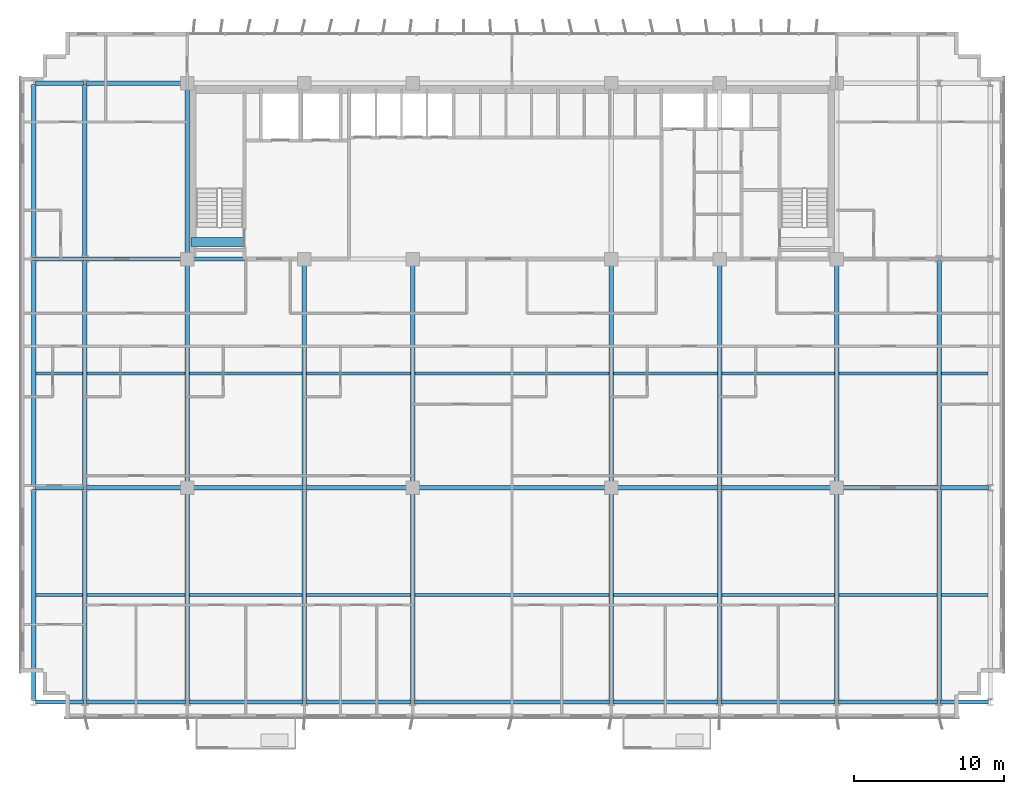
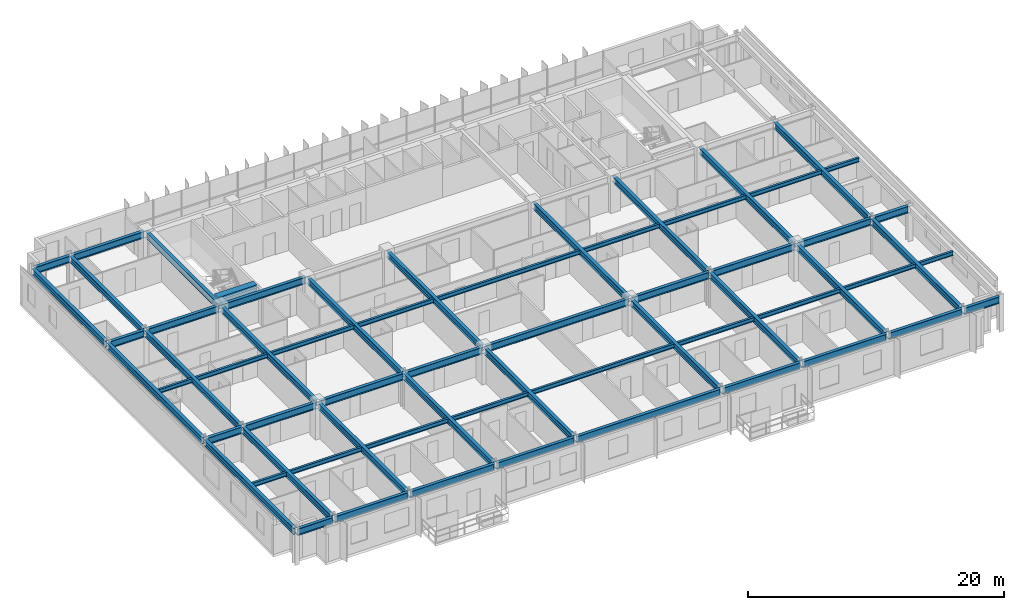
# One storey, part 4 of 24: 63 beams.
"""IFC4 building model written with IfcOpenShell, lengths in metres."""

import ifcopenshell
import ifcopenshell.guid

model = None  # the IFC model being written
_history = None  # IfcOwnerHistory: only IFC2X3 demands one
_inside = {}  # id of a spatial element -> (the spatial element, [elements in it])
_under = {}  # id of a project, library or spatial element -> (it, [spatial elements below it])
_declared = {}  # id of a project -> (the project, [libraries it declares])
_typed = {}  # id of a type object -> (the type object, [elements of that type])
_made_of = {}  # id of a material, layer set ... -> (it, [elements and type objects made of it])


def new_model(schema):
    """Start an empty IFC model of exactly this schema.

    Asked for "IFC4X3", IfcOpenShell would pick the latest addendum, in which some entities
    have other attributes; the version numbers below select the first issue.
    IFC2X3 requires an IfcOwnerHistory on every rooted entity: one is made here for all.
    """
    global model, _history
    if schema == "IFC4X3":
        model = ifcopenshell.file(schema_version=(4, 3, 0, 0))
    else:
        model = ifcopenshell.file(schema=schema)
    _inside.clear()
    _under.clear()
    _declared.clear()
    _typed.clear()
    _made_of.clear()
    _history = None
    if model.schema == "IFC2X3":
        org = make("IfcOrganization", Name="unknown")
        user = make(
            "IfcPersonAndOrganization",
            ThePerson=make("IfcPerson", FamilyName="unknown"),
            TheOrganization=org,
        )
        app = make(
            "IfcApplication",
            ApplicationDeveloper=org,
            Version="unknown",
            ApplicationFullName="unknown",
            ApplicationIdentifier="unknown",
        )
        _history = make(
            "IfcOwnerHistory",
            OwningUser=user,
            OwningApplication=app,
            ChangeAction="ADDED",
            CreationDate=0,
        )
    return model


def make(cls, **values):
    """One entity of the class cls with the attributes given. An attribute that is None is left unset."""
    return model.create_entity(
        cls, **{name: value for name, value in values.items() if value is not None}
    )


def rooted(cls, **values):
    """An entity with a GlobalId (a new one), such as an element, a storey or a relation."""
    return make(cls, GlobalId=ifcopenshell.guid.new(), OwnerHistory=_history, **values)


def si_unit(unit_type, name, prefix=None):
    """IfcSIUnit, for example si_unit("LENGTHUNIT", "METRE", prefix="MILLI")."""
    return make("IfcSIUnit", UnitType=unit_type, Prefix=prefix, Name=name)


def assignment(units):
    """IfcUnitAssignment: the units of a project."""
    return None if units is None else make("IfcUnitAssignment", Units=units)


def point(xyz):
    """IfcCartesianPoint."""
    return None if xyz is None else make("IfcCartesianPoint", Coordinates=xyz)


def direction(xyz):
    """IfcDirection."""
    return None if xyz is None else make("IfcDirection", DirectionRatios=xyz)


def frame(location, z_axis=None, x_axis=None):
    """IfcAxis2Placement3D, a coordinate frame: its origin and axes. An axis left out is left unset."""
    return make(
        "IfcAxis2Placement3D",
        Location=point(location),
        Axis=direction(z_axis),
        RefDirection=direction(x_axis),
    )


def frame_2d(location, x_axis=None):
    """IfcAxis2Placement2D, a coordinate frame in the plane: its origin and x axis."""
    return make(
        "IfcAxis2Placement2D", Location=point(location), RefDirection=direction(x_axis)
    )


def origin():
    """The frame at (0, 0, 0) with its axes left unset."""
    return frame((0.0, 0.0, 0.0))


def origin_2d():
    """The frame at (0, 0) in the plane with its x axis left unset."""
    return frame_2d((0.0, 0.0))


def place(relative_to, where):
    """IfcLocalPlacement: puts the frame where relative to a parent placement (None: the world)."""
    return make(
        "IfcLocalPlacement", PlacementRelTo=relative_to, RelativePlacement=where
    )


def context(
    kind, dimensions, precision=None, world=None, true_north=None, identifier=None
):
    """IfcGeometricRepresentationContext, for example the 3D "Model" context."""
    return make(
        "IfcGeometricRepresentationContext",
        ContextIdentifier=identifier,
        ContextType=kind,
        CoordinateSpaceDimension=dimensions,
        Precision=precision,
        WorldCoordinateSystem=world,
        TrueNorth=true_north,
    )


def subcontext(parent, identifier, kind, view, scale=None):
    """IfcGeometricRepresentationSubContext, for example "Body" below "Model"."""
    return make(
        "IfcGeometricRepresentationSubContext",
        ContextIdentifier=identifier,
        ContextType=kind,
        ParentContext=parent,
        TargetScale=scale,
        TargetView=view,
    )


def project(units=None, contexts=None):
    """IfcProject with its units and contexts."""
    return rooted(
        "IfcProject",
        Name="project",
        RepresentationContexts=contexts,
        UnitsInContext=assignment(units),
    )


def spatial(cls, under=None, at=None, **own):
    """A site, building, storey or space (cls), placed at a placement, below another one or the project."""
    s = rooted(cls, ObjectPlacement=at, **own)
    if under is not None:
        _under.setdefault(under.id(), (under, []))[1].append(s)
    return s


def profile(cls, at=None, kind="AREA", **sizes):
    """A parametric profile (cls). Its sizes go by their IFC names, for example OverallWidth=200.0."""
    return make(cls, ProfileType=kind, Position=at, **sizes)


def rectangle(**sizes):
    """IfcRectangleProfileDef."""
    return profile("IfcRectangleProfileDef", **sizes)


def i_section(**sizes):
    """IfcIShapeProfileDef."""
    return profile("IfcIShapeProfileDef", **sizes)


def extrude(swept, where, along, depth):
    """IfcExtrudedAreaSolid: the profile swept, set in the frame where, extruded along a direction by depth."""
    return make(
        "IfcExtrudedAreaSolid",
        SweptArea=swept,
        Position=where,
        ExtrudedDirection=direction(along),
        Depth=depth,
    )


def shape(context_of_items, identifier, shape_type, items):
    """IfcShapeRepresentation: the items that make up one representation, for example the "Body"."""
    return make(
        "IfcShapeRepresentation",
        ContextOfItems=context_of_items,
        RepresentationIdentifier=identifier,
        RepresentationType=shape_type,
        Items=items,
    )


def source(mapping_origin, context_of_items, identifier, shape_type, items):
    """IfcRepresentationMap: a shape defined once, which mapped items show again and again."""
    return make(
        "IfcRepresentationMap",
        MappingOrigin=mapping_origin,
        MappedRepresentation=shape(context_of_items, identifier, shape_type, items),
    )


def transform(
    local_origin,
    x_axis=None,
    y_axis=None,
    z_axis=None,
    scale=None,
    scale2=None,
    scale3=None,
    uniform=True,
):
    """IfcCartesianTransformationOperator3D, or its non-uniform kind. x_axis, y_axis, z_axis: its Axis1, 2, 3."""
    if uniform:
        return make(
            "IfcCartesianTransformationOperator3D",
            Axis1=direction(x_axis),
            Axis2=direction(y_axis),
            LocalOrigin=point(local_origin),
            Scale=scale,
            Axis3=direction(z_axis),
        )
    return make(
        "IfcCartesianTransformationOperator3DnonUniform",
        Axis1=direction(x_axis),
        Axis2=direction(y_axis),
        LocalOrigin=point(local_origin),
        Scale=scale,
        Axis3=direction(z_axis),
        Scale2=scale2,
        Scale3=scale3,
    )


def mapped(mapping_source, mapping_target):
    """IfcMappedItem: shows the shape of a source again, moved by a transform."""
    return make(
        "IfcMappedItem", MappingSource=mapping_source, MappingTarget=mapping_target
    )


def material(Name=None, Category=None):
    """IfcMaterial."""
    return make("IfcMaterial", Name=Name, Category=Category)


def material_profile(
    of_material, cross_section, Name=None, Category=None, Priority=None
):
    """IfcMaterialProfile: a cross section and its material."""
    return make(
        "IfcMaterialProfile",
        Name=Name,
        Material=of_material,
        Profile=cross_section,
        Priority=Priority,
        Category=Category,
    )


def profile_set(profiles, Name=None, composite=None):
    """IfcMaterialProfileSet."""
    return make(
        "IfcMaterialProfileSet",
        Name=Name,
        MaterialProfiles=profiles,
        CompositeProfile=composite,
    )


def made_of(thing, what):
    """Note that an element or type object is made of a material, layer set ...; save() writes the relation."""
    if what is not None:
        _made_of.setdefault(what.id(), (what, []))[1].append(thing)
    return thing


def type_object(cls, material=None, **own):
    """A type object (cls), such as IfcWallType, which elements share."""
    return made_of(rooted(cls, **own), material)


def element(
    cls,
    number,
    at=None,
    inside=None,
    cuts=None,
    type_object=None,
    material=None,
    context=None,
    identifier="Body",
    shape_type=None,
    held_by="IfcProductDefinitionShape",
    body=None,
    shapes=None,
    **own,
):
    """One element of the class cls, such as IfcWall. Its Tag is "e" and its number.

    at: its placement. inside: the storey or other place that contains it. cuts: it is an
    opening in that element (IfcRelVoidsElement). A single representation is given by context,
    identifier, shape_type and body (its items); several are given by shapes. held_by: the class
    of the entity that holds the representations. save() writes the other relations.
    """
    e = rooted(cls, Tag="e%d" % number, ObjectPlacement=at, **own)
    if body is not None:
        shapes = [shape(context, identifier, shape_type, body)]
    if shapes is not None:
        e.Representation = make(held_by, Representations=shapes)
    if inside is not None:
        _inside.setdefault(inside.id(), (inside, []))[1].append(e)
    if cuts is not None:
        rooted(
            "IfcRelVoidsElement", RelatingBuildingElement=cuts, RelatedOpeningElement=e
        )
    if type_object is not None:
        _typed.setdefault(type_object.id(), (type_object, []))[1].append(e)
    return made_of(e, material)


def aggregate(whole, parts):
    """IfcRelAggregates: a whole, such as a stair, and the parts it consists of."""
    return rooted("IfcRelAggregates", RelatingObject=whole, RelatedObjects=parts)


def save(model, path):
    """Write the relations noted so far, then the file.

    IfcRelAggregates (storeys below a building ...), IfcRelContainedInSpatialStructure (elements
    in a storey), IfcRelDefinesByType, IfcRelAssociatesMaterial and IfcRelDeclares: one each for
    every whole, place, type object, material and project.
    """
    for whole, parts in _under.values():
        aggregate(whole, parts)
    for where, things in _inside.values():
        rooted(
            "IfcRelContainedInSpatialStructure",
            RelatedElements=things,
            RelatingStructure=where,
        )
    for kind, things in _typed.values():
        rooted("IfcRelDefinesByType", RelatedObjects=things, RelatingType=kind)
    for what, things in _made_of.values():
        rooted("IfcRelAssociatesMaterial", RelatedObjects=things, RelatingMaterial=what)
    for by, libraries in _declared.values():
        rooted("IfcRelDeclares", RelatingContext=by, RelatedDefinitions=libraries)
    model.write(path)


model = new_model("IFC4")

# Units and contexts
model_context = context("Model", 3, precision=1e-05, world=origin(), true_north=direction((0.0, 1.0)))
body_context = subcontext(model_context, "Body", "Model", "MODEL_VIEW")
ifc_project = project(units=[si_unit("LENGTHUNIT", "METRE"), si_unit("AREAUNIT", "SQUARE_METRE"), si_unit("VOLUMEUNIT", "CUBIC_METRE"), si_unit("PLANEANGLEUNIT", "RADIAN"), si_unit("MASSUNIT", "GRAM", prefix="KILO")], contexts=[model_context])

# Site, building, storey
site_placement = place(None, origin())
site = spatial("IfcSite", under=ifc_project, at=site_placement, CompositionType="ELEMENT")
building_placement = place(site_placement, origin())
building = spatial("IfcBuilding", under=site, at=building_placement, Name="Trelvane Seafront Commons", CompositionType="ELEMENT")
storey_placement = place(building_placement, frame((0.0, 0.0, 30.699951171875)))
storey = spatial("IfcBuildingStorey", under=building, at=storey_placement, Name="L07", CompositionType="ELEMENT", Elevation=30.699951171875)

# Beams
ifc_material_1 = material(Name="Concrete C60/75", Category="concrete")
ifc_material_profile_1 = material_profile(ifc_material_1, rectangle(XDim=0.60009765625, YDim=0.89990234375, at=origin_2d()), Name="RC-600x900")
ifc_profile_set_1 = profile_set([ifc_material_profile_1], Name="Concrete C60/75")
beam_type_1 = type_object("IfcBeamType", Name="STR-LNT-RC600x900", PredefinedType="LINTEL", material=ifc_profile_set_1)
shared_shape_1 = source(origin(), body_context, "Body", "SweptSolid", [
    extrude(rectangle(XDim=0.60009765625, YDim=0.89990234375, at=origin_2d()), origin(), (0.0, 0.0, 1.0), 3.5498046875),
])
beam_1_placement = place(storey_placement, frame((15.85009765625, 34.550048828125, 2.89013671875), z_axis=(1.0, 0.0, 0.0), x_axis=(0.0, 1.0, 0.0)))
element("IfcBeam", 1, at=beam_1_placement, inside=storey, type_object=beam_type_1, Name="L07 Core Coupling Lintel Beam CB-85", PredefinedType="LINTEL", context=body_context, shape_type="MappedRepresentation", body=[
    mapped(shared_shape_1, transform((0.0, 0.0, 0.0), x_axis=(1.0, 0.0, 0.0), y_axis=(0.0, 1.0, 0.0), z_axis=(0.0, 0.0, 1.0), scale=1.0)),
])
ifc_material_2 = material(Name="Steel SM355 (S355)", Category="steel")
ifc_material_profile_2 = material_profile(ifc_material_2, i_section(OverallWidth=0.280029296875, OverallDepth=0.64990234375, WebThickness=0.012939453125, FlangeThickness=0.02197265625, at=origin_2d()), Name="H-650x280x13x22")
ifc_profile_set_2 = profile_set([ifc_material_profile_2], Name="Steel SM355 (S355)")
beam_type_2 = type_object("IfcBeamType", Name="STR-BM-H650", PredefinedType="BEAM", material=ifc_profile_set_2)
shared_shape_2 = source(origin(), body_context, "Body", "SweptSolid", [
    extrude(i_section(OverallWidth=0.280029296875, OverallDepth=0.64990234375, WebThickness=0.012939453125, FlangeThickness=0.02197265625, at=origin_2d()), origin(), (0.0, 0.0, 1.0), 3.190185546875),
])
for number, where, z_axis, x_axis, name in (
    (2, (5.5048828125, 3.949951171875, 3.01513671875), (1.0, 0.0, 0.0), (0.0, 1.0, 0.0), "L07 Primary Girder G-01"),
    (3, (5.5048828125, 18.199951171875, 3.01513671875), (1.0, 0.0, 0.0), (0.0, 1.0, 0.0), "L07 Primary Girder G-10"),
    (4, (5.5048828125, 33.39990234375, 3.01513671875), (1.0, 0.0, 0.0), (0.0, 1.0, 0.0), "L07 Primary Girder G-19"),
    (5, (5.5048828125, 45.10009765625, 3.01513671875), (1.0, 0.0, 0.0), (0.0, 1.0, 0.0), "L07 Primary Girder G-28"),
):
    element("IfcBeam", number, at=place(storey_placement, frame(where, z_axis=z_axis, x_axis=x_axis)), inside=storey, type_object=beam_type_2, Name=name, PredefinedType="BEAM", context=body_context, shape_type="MappedRepresentation", body=[
        mapped(shared_shape_2, transform((0.0, 0.0, 0.0), x_axis=(1.0, 0.0, 0.0), y_axis=(0.0, 1.0, 0.0), z_axis=(0.0, 0.0, 1.0), scale=1.0)),
    ])
shared_shape_3 = source(origin(), body_context, "Body", "SweptSolid", [
    extrude(i_section(OverallWidth=0.280029296875, OverallDepth=0.64990234375, WebThickness=0.012939453125, FlangeThickness=0.02197265625, at=origin_2d()), origin(), (0.0, 0.0, 1.0), 6.590087890625),
])
for number, where, z_axis, x_axis, name in (
    (6, (8.905029296875, 3.949951171875, 3.01513671875), (1.0, 0.0, 0.0), (0.0, 1.0, 0.0), "L07 Primary Girder G-02"),
    (7, (58.905029296875, 3.949951171875, 3.01513671875), (1.0, 0.0, 0.0), (0.0, 1.0, 0.0), "L07 Primary Girder G-08"),
):
    element("IfcBeam", number, at=place(storey_placement, frame(where, z_axis=z_axis, x_axis=x_axis)), inside=storey, type_object=beam_type_2, Name=name, PredefinedType="BEAM", context=body_context, shape_type="MappedRepresentation", body=[
        mapped(shared_shape_3, transform((0.0, 0.0, 0.0), x_axis=(1.0, 0.0, 0.0), y_axis=(0.0, 1.0, 0.0), z_axis=(0.0, 0.0, 1.0), scale=1.0)),
    ])
shared_shape_4 = source(origin(), body_context, "Body", "SweptSolid", [
    extrude(i_section(OverallWidth=0.280029296875, OverallDepth=0.64990234375, WebThickness=0.012939453125, FlangeThickness=0.02197265625, at=origin_2d()), origin(), (0.0, 0.0, 1.0), 7.58984375),
])
beam_2_placement = place(storey_placement, frame((15.705078125, 3.949951171875, 3.01513671875), z_axis=(1.0, 0.0, 0.0), x_axis=(0.0, 1.0, 0.0)))
element("IfcBeam", 8, at=beam_2_placement, inside=storey, type_object=beam_type_2, Name="L07 Primary Girder G-03", PredefinedType="BEAM", context=body_context, shape_type="MappedRepresentation", body=[
    mapped(shared_shape_4, transform((0.0, 0.0, 0.0), x_axis=(1.0, 0.0, 0.0), y_axis=(0.0, 1.0, 0.0), z_axis=(0.0, 0.0, 1.0), scale=1.0)),
])
shared_shape_5 = source(origin(), body_context, "Body", "SweptSolid", [
    extrude(i_section(OverallWidth=0.280029296875, OverallDepth=0.64990234375, WebThickness=0.012939453125, FlangeThickness=0.02197265625, at=origin_2d()), origin(), (0.0, 0.0, 1.0), 6.990234375),
])
beam_3_placement = place(storey_placement, frame((23.5048828125, 3.949951171875, 3.01513671875), z_axis=(1.0, 0.0, 0.0), x_axis=(0.0, 1.0, 0.0)))
element("IfcBeam", 9, at=beam_3_placement, inside=storey, type_object=beam_type_2, Name="L07 Primary Girder G-04", PredefinedType="BEAM", context=body_context, shape_type="MappedRepresentation", body=[
    mapped(shared_shape_5, transform((0.0, 0.0, 0.0), x_axis=(1.0, 0.0, 0.0), y_axis=(0.0, 1.0, 0.0), z_axis=(0.0, 0.0, 1.0), scale=1.0)),
])
shared_shape_6 = source(origin(), body_context, "Body", "SweptSolid", [
    extrude(i_section(OverallWidth=0.280029296875, OverallDepth=0.64990234375, WebThickness=0.012939453125, FlangeThickness=0.02197265625, at=origin_2d()), origin(), (0.0, 0.0, 1.0), 12.989990234375),
])
beam_4_placement = place(storey_placement, frame((30.705078125, 3.949951171875, 3.01513671875), z_axis=(1.0, 0.0, 0.0), x_axis=(0.0, 1.0, 0.0)))
element("IfcBeam", 10, at=beam_4_placement, inside=storey, type_object=beam_type_2, Name="L07 Primary Girder G-05", PredefinedType="BEAM", context=body_context, shape_type="MappedRepresentation", body=[
    mapped(shared_shape_6, transform((0.0, 0.0, 0.0), x_axis=(1.0, 0.0, 0.0), y_axis=(0.0, 1.0, 0.0), z_axis=(0.0, 0.0, 1.0), scale=1.0)),
])
shared_shape_7 = source(origin(), body_context, "Body", "SweptSolid", [
    extrude(i_section(OverallWidth=0.280029296875, OverallDepth=0.64990234375, WebThickness=0.012939453125, FlangeThickness=0.02197265625, at=origin_2d()), origin(), (0.0, 0.0, 1.0), 6.989990234375),
])
beam_5_placement = place(storey_placement, frame((43.905029296875, 3.949951171875, 3.01513671875), z_axis=(1.0, 0.0, 0.0), x_axis=(0.0, 1.0, 0.0)))
element("IfcBeam", 11, at=beam_5_placement, inside=storey, type_object=beam_type_2, Name="L07 Primary Girder G-06", PredefinedType="BEAM", context=body_context, shape_type="MappedRepresentation", body=[
    mapped(shared_shape_7, transform((0.0, 0.0, 0.0), x_axis=(1.0, 0.0, 0.0), y_axis=(0.0, 1.0, 0.0), z_axis=(0.0, 0.0, 1.0), scale=1.0)),
])
shared_shape_8 = source(origin(), body_context, "Body", "SweptSolid", [
    extrude(i_section(OverallWidth=0.280029296875, OverallDepth=0.64990234375, WebThickness=0.012939453125, FlangeThickness=0.02197265625, at=origin_2d()), origin(), (0.0, 0.0, 1.0), 7.590087890625),
])
beam_6_placement = place(storey_placement, frame((51.10498046875, 3.949951171875, 3.01513671875), z_axis=(1.0, 0.0, 0.0), x_axis=(0.0, 1.0, 0.0)))
element("IfcBeam", 12, at=beam_6_placement, inside=storey, type_object=beam_type_2, Name="L07 Primary Girder G-07", PredefinedType="BEAM", context=body_context, shape_type="MappedRepresentation", body=[
    mapped(shared_shape_8, transform((0.0, 0.0, 0.0), x_axis=(1.0, 0.0, 0.0), y_axis=(0.0, 1.0, 0.0), z_axis=(0.0, 0.0, 1.0), scale=1.0)),
])
shared_shape_9 = source(origin(), body_context, "Body", "SweptSolid", [
    extrude(i_section(OverallWidth=0.280029296875, OverallDepth=0.64990234375, WebThickness=0.012939453125, FlangeThickness=0.02197265625, at=origin_2d()), origin(), (0.0, 0.0, 1.0), 3.18994140625),
])
for number, where, z_axis, x_axis, name in (
    (13, (65.705078125, 3.949951171875, 3.01513671875), (1.0, 0.0, 0.0), (0.0, 1.0, 0.0), "L07 Primary Girder G-09"),
    (14, (65.705078125, 18.199951171875, 3.01513671875), (1.0, 0.0, 0.0), (0.0, 1.0, 0.0), "L07 Primary Girder G-18"),
):
    element("IfcBeam", number, at=place(storey_placement, frame(where, z_axis=z_axis, x_axis=x_axis)), inside=storey, type_object=beam_type_2, Name=name, PredefinedType="BEAM", context=body_context, shape_type="MappedRepresentation", body=[
        mapped(shared_shape_9, transform((0.0, 0.0, 0.0), x_axis=(1.0, 0.0, 0.0), y_axis=(0.0, 1.0, 0.0), z_axis=(0.0, 0.0, 1.0), scale=1.0)),
    ])
shared_shape_10 = source(origin(), body_context, "Body", "SweptSolid", [
    extrude(i_section(OverallWidth=0.280029296875, OverallDepth=0.64990234375, WebThickness=0.012939453125, FlangeThickness=0.02197265625, at=origin_2d()), origin(), (0.0, 0.0, 1.0), 6.544921875),
])
for number, where, z_axis, x_axis, name in (
    (15, (8.905029296875, 18.199951171875, 3.01513671875), (1.0, 0.0, 0.0), (0.0, 1.0, 0.0), "L07 Primary Girder G-11"),
    (16, (8.905029296875, 33.39990234375, 3.01513671875), (1.0, 0.0, 0.0), (0.0, 1.0, 0.0), "L07 Primary Girder G-20"),
    (17, (8.905029296875, 45.10009765625, 3.01513671875), (1.0, 0.0, 0.0), (0.0, 1.0, 0.0), "L07 Primary Girder G-29"),
):
    element("IfcBeam", number, at=place(storey_placement, frame(where, z_axis=z_axis, x_axis=x_axis)), inside=storey, type_object=beam_type_2, Name=name, PredefinedType="BEAM", context=body_context, shape_type="MappedRepresentation", body=[
        mapped(shared_shape_10, transform((0.0, 0.0, 0.0), x_axis=(1.0, 0.0, 0.0), y_axis=(0.0, 1.0, 0.0), z_axis=(0.0, 0.0, 1.0), scale=1.0)),
    ])
shared_shape_11 = source(origin(), body_context, "Body", "SweptSolid", [
    extrude(i_section(OverallWidth=0.280029296875, OverallDepth=0.64990234375, WebThickness=0.012939453125, FlangeThickness=0.02197265625, at=origin_2d()), origin(), (0.0, 0.0, 1.0), 7.544921875),
])
for number, where, z_axis, x_axis, name in (
    (18, (15.75, 18.199951171875, 3.01513671875), (1.0, 0.0, 0.0), (0.0, 1.0, 0.0), "L07 Primary Girder G-12"),
    (19, (51.10498046875, 18.199951171875, 3.01513671875), (1.0, 0.0, 0.0), (0.0, 1.0, 0.0), "L07 Primary Girder G-16"),
):
    element("IfcBeam", number, at=place(storey_placement, frame(where, z_axis=z_axis, x_axis=x_axis)), inside=storey, type_object=beam_type_2, Name=name, PredefinedType="BEAM", context=body_context, shape_type="MappedRepresentation", body=[
        mapped(shared_shape_11, transform((0.0, 0.0, 0.0), x_axis=(1.0, 0.0, 0.0), y_axis=(0.0, 1.0, 0.0), z_axis=(0.0, 0.0, 1.0), scale=1.0)),
    ])
shared_shape_12 = source(origin(), body_context, "Body", "SweptSolid", [
    extrude(i_section(OverallWidth=0.280029296875, OverallDepth=0.64990234375, WebThickness=0.012939453125, FlangeThickness=0.02197265625, at=origin_2d()), origin(), (0.0, 0.0, 1.0), 6.945068359375),
])
for number, where, z_axis, x_axis, name in (
    (20, (23.5048828125, 18.199951171875, 3.01513671875), (1.0, 0.0, 0.0), (0.0, 1.0, 0.0), "L07 Primary Girder G-13"),
    (21, (43.949951171875, 18.199951171875, 3.01513671875), (1.0, 0.0, 0.0), (0.0, 1.0, 0.0), "L07 Primary Girder G-15"),
):
    element("IfcBeam", number, at=place(storey_placement, frame(where, z_axis=z_axis, x_axis=x_axis)), inside=storey, type_object=beam_type_2, Name=name, PredefinedType="BEAM", context=body_context, shape_type="MappedRepresentation", body=[
        mapped(shared_shape_12, transform((0.0, 0.0, 0.0), x_axis=(1.0, 0.0, 0.0), y_axis=(0.0, 1.0, 0.0), z_axis=(0.0, 0.0, 1.0), scale=1.0)),
    ])
shared_shape_13 = source(origin(), body_context, "Body", "SweptSolid", [
    extrude(i_section(OverallWidth=0.280029296875, OverallDepth=0.64990234375, WebThickness=0.012939453125, FlangeThickness=0.02197265625, at=origin_2d()), origin(), (0.0, 0.0, 1.0), 12.89990234375),
])
beam_7_placement = place(storey_placement, frame((30.75, 18.199951171875, 3.01513671875), z_axis=(1.0, 0.0, 0.0), x_axis=(0.0, 1.0, 0.0)))
element("IfcBeam", 22, at=beam_7_placement, inside=storey, type_object=beam_type_2, Name="L07 Primary Girder G-14", PredefinedType="BEAM", context=body_context, shape_type="MappedRepresentation", body=[
    mapped(shared_shape_13, transform((0.0, 0.0, 0.0), x_axis=(1.0, 0.0, 0.0), y_axis=(0.0, 1.0, 0.0), z_axis=(0.0, 0.0, 1.0), scale=1.0)),
])
shared_shape_14 = source(origin(), body_context, "Body", "SweptSolid", [
    extrude(i_section(OverallWidth=0.280029296875, OverallDepth=0.64990234375, WebThickness=0.012939453125, FlangeThickness=0.02197265625, at=origin_2d()), origin(), (0.0, 0.0, 1.0), 6.545166015625),
])
beam_8_placement = place(storey_placement, frame((58.949951171875, 18.199951171875, 3.01513671875), z_axis=(1.0, 0.0, 0.0), x_axis=(0.0, 1.0, 0.0)))
element("IfcBeam", 23, at=beam_8_placement, inside=storey, type_object=beam_type_2, Name="L07 Primary Girder G-17", PredefinedType="BEAM", context=body_context, shape_type="MappedRepresentation", body=[
    mapped(shared_shape_14, transform((0.0, 0.0, 0.0), x_axis=(1.0, 0.0, 0.0), y_axis=(0.0, 1.0, 0.0), z_axis=(0.0, 0.0, 1.0), scale=1.0)),
])
shared_shape_15 = source(origin(), body_context, "Body", "SweptSolid", [
    extrude(i_section(OverallWidth=0.280029296875, OverallDepth=0.64990234375, WebThickness=0.012939453125, FlangeThickness=0.02197265625, at=origin_2d()), origin(), (0.0, 0.0, 1.0), 7.5),
])
beam_9_placement = place(storey_placement, frame((15.75, 33.39990234375, 3.01513671875), z_axis=(1.0, 0.0, 0.0), x_axis=(0.0, 1.0, 0.0)))
element("IfcBeam", 24, at=beam_9_placement, inside=storey, type_object=beam_type_2, Name="L07 Primary Girder G-21", PredefinedType="BEAM", context=body_context, shape_type="MappedRepresentation", body=[
    mapped(shared_shape_15, transform((0.0, 0.0, 0.0), x_axis=(1.0, 0.0, 0.0), y_axis=(0.0, 1.0, 0.0), z_axis=(0.0, 0.0, 1.0), scale=1.0)),
])
ifc_material_profile_3 = material_profile(ifc_material_2, i_section(OverallWidth=0.300048828125, OverallDepth=0.587890625, WebThickness=0.011962890625, FlangeThickness=0.02001953125, at=origin_2d()), Name="H-588x300x12x20")
ifc_profile_set_3 = profile_set([ifc_material_profile_3], Name="Steel SM355 (S355)")
beam_type_3 = type_object("IfcBeamType", Name="STR-BM-H588", PredefinedType="BEAM", material=ifc_profile_set_3)
shared_shape_16 = source(origin(), body_context, "Body", "SweptSolid", [
    extrude(i_section(OverallWidth=0.300048828125, OverallDepth=0.587890625, WebThickness=0.011962890625, FlangeThickness=0.02001953125, at=origin_2d()), origin(), (0.0, 0.0, 1.0), 14.0400390625),
])
for number, where, z_axis, x_axis, name in (
    (25, (5.39990234375, 4.054931640625, 3.046142578125), (0.0, 1.0, 0.0), (-1.0, 0.0, 0.0), "L07 Primary Girder G-37"),
    (26, (8.800048828125, 4.054931640625, 3.046142578125), (0.0, 1.0, 0.0), (-1.0, 0.0, 0.0), "L07 Primary Girder G-40"),
    (27, (23.39990234375, 4.054931640625, 3.046142578125), (0.0, 1.0, 0.0), (-1.0, 0.0, 0.0), "L07 Primary Girder G-46"),
    (28, (51.0, 4.054931640625, 3.046142578125), (0.0, 1.0, 0.0), (-1.0, 0.0, 0.0), "L07 Primary Girder G-55"),
    (29, (65.60009765625, 4.054931640625, 3.046142578125), (0.0, 1.0, 0.0), (-1.0, 0.0, 0.0), "L07 Primary Girder G-61"),
):
    element("IfcBeam", number, at=place(storey_placement, frame(where, z_axis=z_axis, x_axis=x_axis)), inside=storey, type_object=beam_type_3, Name=name, PredefinedType="BEAM", context=body_context, shape_type="MappedRepresentation", body=[
        mapped(shared_shape_16, transform((0.0, 0.0, 0.0), x_axis=(1.0, 0.0, 0.0), y_axis=(0.0, 1.0, 0.0), z_axis=(0.0, 0.0, 1.0), scale=1.0)),
    ])
shared_shape_17 = source(origin(), body_context, "Body", "SweptSolid", [
    extrude(i_section(OverallWidth=0.300048828125, OverallDepth=0.587890625, WebThickness=0.011962890625, FlangeThickness=0.02001953125, at=origin_2d()), origin(), (0.0, 0.0, 1.0), 14.989990234375),
])
for number, where, z_axis, x_axis, name in (
    (30, (5.39990234375, 18.304931640625, 3.046142578125), (0.0, 1.0, 0.0), (-1.0, 0.0, 0.0), "L07 Primary Girder G-38"),
    (31, (8.800048828125, 18.304931640625, 3.046142578125), (0.0, 1.0, 0.0), (-1.0, 0.0, 0.0), "L07 Primary Girder G-41"),
    (32, (65.60009765625, 18.304931640625, 3.046142578125), (0.0, 1.0, 0.0), (-1.0, 0.0, 0.0), "L07 Primary Girder G-62"),
):
    element("IfcBeam", number, at=place(storey_placement, frame(where, z_axis=z_axis, x_axis=x_axis)), inside=storey, type_object=beam_type_3, Name=name, PredefinedType="BEAM", context=body_context, shape_type="MappedRepresentation", body=[
        mapped(shared_shape_17, transform((0.0, 0.0, 0.0), x_axis=(1.0, 0.0, 0.0), y_axis=(0.0, 1.0, 0.0), z_axis=(0.0, 0.0, 1.0), scale=1.0)),
    ])
shared_shape_18 = source(origin(), body_context, "Body", "SweptSolid", [
    extrude(i_section(OverallWidth=0.300048828125, OverallDepth=0.587890625, WebThickness=0.011962890625, FlangeThickness=0.02001953125, at=origin_2d()), origin(), (0.0, 0.0, 1.0), 11.490234375),
])
for number, where, z_axis, x_axis, name in (
    (33, (5.39990234375, 33.5048828125, 3.046142578125), (0.0, 1.0, 0.0), (-1.0, 0.0, 0.0), "L07 Primary Girder G-39"),
    (34, (8.800048828125, 33.5048828125, 3.046142578125), (0.0, 1.0, 0.0), (-1.0, 0.0, 0.0), "L07 Primary Girder G-42"),
):
    element("IfcBeam", number, at=place(storey_placement, frame(where, z_axis=z_axis, x_axis=x_axis)), inside=storey, type_object=beam_type_3, Name=name, PredefinedType="BEAM", context=body_context, shape_type="MappedRepresentation", body=[
        mapped(shared_shape_18, transform((0.0, 0.0, 0.0), x_axis=(1.0, 0.0, 0.0), y_axis=(0.0, 1.0, 0.0), z_axis=(0.0, 0.0, 1.0), scale=1.0)),
    ])
shared_shape_19 = source(origin(), body_context, "Body", "SweptSolid", [
    extrude(i_section(OverallWidth=0.300048828125, OverallDepth=0.587890625, WebThickness=0.011962890625, FlangeThickness=0.02001953125, at=origin_2d()), origin(), (0.0, 0.0, 1.0), 13.9951171875),
])
for number, where, z_axis, x_axis, name in (
    (35, (15.60009765625, 4.054931640625, 3.046142578125), (0.0, 1.0, 0.0), (-1.0, 0.0, 0.0), "L07 Primary Girder G-43"),
    (36, (30.60009765625, 4.054931640625, 3.046142578125), (0.0, 1.0, 0.0), (-1.0, 0.0, 0.0), "L07 Primary Girder G-49"),
    (37, (43.800048828125, 4.054931640625, 3.046142578125), (0.0, 1.0, 0.0), (-1.0, 0.0, 0.0), "L07 Primary Girder G-52"),
    (38, (58.800048828125, 4.054931640625, 3.046142578125), (0.0, 1.0, 0.0), (-1.0, 0.0, 0.0), "L07 Primary Girder G-58"),
):
    element("IfcBeam", number, at=place(storey_placement, frame(where, z_axis=z_axis, x_axis=x_axis)), inside=storey, type_object=beam_type_3, Name=name, PredefinedType="BEAM", context=body_context, shape_type="MappedRepresentation", body=[
        mapped(shared_shape_19, transform((0.0, 0.0, 0.0), x_axis=(1.0, 0.0, 0.0), y_axis=(0.0, 1.0, 0.0), z_axis=(0.0, 0.0, 1.0), scale=1.0)),
    ])
shared_shape_20 = source(origin(), body_context, "Body", "SweptSolid", [
    extrude(i_section(OverallWidth=0.300048828125, OverallDepth=0.587890625, WebThickness=0.011962890625, FlangeThickness=0.02001953125, at=origin_2d()), origin(), (0.0, 0.0, 1.0), 14.89990234375),
])
for number, where, z_axis, x_axis, name in (
    (39, (15.60009765625, 18.35009765625, 3.046142578125), (0.0, 1.0, 0.0), (-1.0, 0.0, 0.0), "L07 Primary Girder G-44"),
    (40, (30.60009765625, 18.35009765625, 3.046142578125), (0.0, 1.0, 0.0), (-1.0, 0.0, 0.0), "L07 Primary Girder G-50"),
    (41, (43.800048828125, 18.35009765625, 3.046142578125), (0.0, 1.0, 0.0), (-1.0, 0.0, 0.0), "L07 Primary Girder G-53"),
    (42, (58.800048828125, 18.35009765625, 3.046142578125), (0.0, 1.0, 0.0), (-1.0, 0.0, 0.0), "L07 Primary Girder G-59"),
):
    element("IfcBeam", number, at=place(storey_placement, frame(where, z_axis=z_axis, x_axis=x_axis)), inside=storey, type_object=beam_type_3, Name=name, PredefinedType="BEAM", context=body_context, shape_type="MappedRepresentation", body=[
        mapped(shared_shape_20, transform((0.0, 0.0, 0.0), x_axis=(1.0, 0.0, 0.0), y_axis=(0.0, 1.0, 0.0), z_axis=(0.0, 0.0, 1.0), scale=1.0)),
    ])
shared_shape_21 = source(origin(), body_context, "Body", "SweptSolid", [
    extrude(i_section(OverallWidth=0.300048828125, OverallDepth=0.587890625, WebThickness=0.011962890625, FlangeThickness=0.02001953125, at=origin_2d()), origin(), (0.0, 0.0, 1.0), 11.39990234375),
])
beam_10_placement = place(storey_placement, frame((15.60009765625, 33.550048828125, 3.046142578125), z_axis=(0.0, 1.0, 0.0), x_axis=(-1.0, 0.0, 0.0)))
element("IfcBeam", 43, at=beam_10_placement, inside=storey, type_object=beam_type_3, Name="L07 Primary Girder G-45", PredefinedType="BEAM", context=body_context, shape_type="MappedRepresentation", body=[
    mapped(shared_shape_21, transform((0.0, 0.0, 0.0), x_axis=(1.0, 0.0, 0.0), y_axis=(0.0, 1.0, 0.0), z_axis=(0.0, 0.0, 1.0), scale=1.0)),
])
shared_shape_22 = source(origin(), body_context, "Body", "SweptSolid", [
    extrude(i_section(OverallWidth=0.300048828125, OverallDepth=0.587890625, WebThickness=0.011962890625, FlangeThickness=0.02001953125, at=origin_2d()), origin(), (0.0, 0.0, 1.0), 14.945068359375),
])
for number, where, z_axis, x_axis, name in (
    (44, (23.39990234375, 18.304931640625, 3.046142578125), (0.0, 1.0, 0.0), (-1.0, 0.0, 0.0), "L07 Primary Girder G-47"),
    (45, (51.0, 18.304931640625, 3.046142578125), (0.0, 1.0, 0.0), (-1.0, 0.0, 0.0), "L07 Primary Girder G-56"),
):
    element("IfcBeam", number, at=place(storey_placement, frame(where, z_axis=z_axis, x_axis=x_axis)), inside=storey, type_object=beam_type_3, Name=name, PredefinedType="BEAM", context=body_context, shape_type="MappedRepresentation", body=[
        mapped(shared_shape_22, transform((0.0, 0.0, 0.0), x_axis=(1.0, 0.0, 0.0), y_axis=(0.0, 1.0, 0.0), z_axis=(0.0, 0.0, 1.0), scale=1.0)),
    ])
ifc_material_profile_4 = material_profile(ifc_material_2, i_section(OverallWidth=0.199951171875, OverallDepth=0.39990234375, WebThickness=0.008056640625, FlangeThickness=0.012939453125, at=origin_2d()), Name="H-400x200x8x13")
ifc_profile_set_4 = profile_set([ifc_material_profile_4], Name="Steel SM355 (S355)")
beam_type_4 = type_object("IfcBeamType", Name="STR-JST-H400", PredefinedType="JOIST", material=ifc_profile_set_4)
shared_shape_23 = source(origin(), body_context, "Body", "SweptSolid", [
    extrude(i_section(OverallWidth=0.199951171875, OverallDepth=0.39990234375, WebThickness=0.008056640625, FlangeThickness=0.012939453125, at=origin_2d()), origin(), (0.0, 0.0, 1.0), 3.099853515625),
])
for number, where, z_axis, x_axis, name in (
    (46, (5.550048828125, 11.074951171875, 3.14013671875), (1.0, 0.0, 0.0), (0.0, 1.0, 0.0), "L07 Secondary Floor Joist B-67"),
    (47, (5.550048828125, 25.800048828125, 3.14013671875), (1.0, 0.0, 0.0), (0.0, 1.0, 0.0), "L07 Secondary Floor Joist B-76"),
):
    element("IfcBeam", number, at=place(storey_placement, frame(where, z_axis=z_axis, x_axis=x_axis)), inside=storey, type_object=beam_type_4, Name=name, PredefinedType="JOIST", context=body_context, shape_type="MappedRepresentation", body=[
        mapped(shared_shape_23, transform((0.0, 0.0, 0.0), x_axis=(1.0, 0.0, 0.0), y_axis=(0.0, 1.0, 0.0), z_axis=(0.0, 0.0, 1.0), scale=1.0)),
    ])
shared_shape_24 = source(origin(), body_context, "Body", "SweptSolid", [
    extrude(i_section(OverallWidth=0.199951171875, OverallDepth=0.39990234375, WebThickness=0.008056640625, FlangeThickness=0.012939453125, at=origin_2d()), origin(), (0.0, 0.0, 1.0), 6.5),
])
for number, where, z_axis, x_axis, name in (
    (48, (8.949951171875, 11.074951171875, 3.14013671875), (1.0, 0.0, 0.0), (0.0, 1.0, 0.0), "L07 Secondary Floor Joist B-68"),
    (49, (58.949951171875, 11.074951171875, 3.14013671875), (1.0, 0.0, 0.0), (0.0, 1.0, 0.0), "L07 Secondary Floor Joist B-74"),
    (50, (8.949951171875, 25.800048828125, 3.14013671875), (1.0, 0.0, 0.0), (0.0, 1.0, 0.0), "L07 Secondary Floor Joist B-77"),
    (51, (58.949951171875, 25.800048828125, 3.14013671875), (1.0, 0.0, 0.0), (0.0, 1.0, 0.0), "L07 Secondary Floor Joist B-83"),
):
    element("IfcBeam", number, at=place(storey_placement, frame(where, z_axis=z_axis, x_axis=x_axis)), inside=storey, type_object=beam_type_4, Name=name, PredefinedType="JOIST", context=body_context, shape_type="MappedRepresentation", body=[
        mapped(shared_shape_24, transform((0.0, 0.0, 0.0), x_axis=(1.0, 0.0, 0.0), y_axis=(0.0, 1.0, 0.0), z_axis=(0.0, 0.0, 1.0), scale=1.0)),
    ])
shared_shape_25 = source(origin(), body_context, "Body", "SweptSolid", [
    extrude(i_section(OverallWidth=0.199951171875, OverallDepth=0.39990234375, WebThickness=0.008056640625, FlangeThickness=0.012939453125, at=origin_2d()), origin(), (0.0, 0.0, 1.0), 7.5),
])
for number, where, z_axis, x_axis, name in (
    (52, (15.75, 11.074951171875, 3.14013671875), (1.0, 0.0, 0.0), (0.0, 1.0, 0.0), "L07 Secondary Floor Joist B-69"),
    (53, (51.14990234375, 11.074951171875, 3.14013671875), (1.0, 0.0, 0.0), (0.0, 1.0, 0.0), "L07 Secondary Floor Joist B-73"),
    (54, (15.75, 25.800048828125, 3.14013671875), (1.0, 0.0, 0.0), (0.0, 1.0, 0.0), "L07 Secondary Floor Joist B-78"),
    (55, (51.14990234375, 25.800048828125, 3.14013671875), (1.0, 0.0, 0.0), (0.0, 1.0, 0.0), "L07 Secondary Floor Joist B-82"),
):
    element("IfcBeam", number, at=place(storey_placement, frame(where, z_axis=z_axis, x_axis=x_axis)), inside=storey, type_object=beam_type_4, Name=name, PredefinedType="JOIST", context=body_context, shape_type="MappedRepresentation", body=[
        mapped(shared_shape_25, transform((0.0, 0.0, 0.0), x_axis=(1.0, 0.0, 0.0), y_axis=(0.0, 1.0, 0.0), z_axis=(0.0, 0.0, 1.0), scale=1.0)),
    ])
shared_shape_26 = source(origin(), body_context, "Body", "SweptSolid", [
    extrude(i_section(OverallWidth=0.199951171875, OverallDepth=0.39990234375, WebThickness=0.008056640625, FlangeThickness=0.012939453125, at=origin_2d()), origin(), (0.0, 0.0, 1.0), 6.89990234375),
])
for number, where, z_axis, x_axis, name in (
    (56, (23.550048828125, 11.074951171875, 3.14013671875), (1.0, 0.0, 0.0), (0.0, 1.0, 0.0), "L07 Secondary Floor Joist B-70"),
    (57, (23.550048828125, 25.800048828125, 3.14013671875), (1.0, 0.0, 0.0), (0.0, 1.0, 0.0), "L07 Secondary Floor Joist B-79"),
):
    element("IfcBeam", number, at=place(storey_placement, frame(where, z_axis=z_axis, x_axis=x_axis)), inside=storey, type_object=beam_type_4, Name=name, PredefinedType="JOIST", context=body_context, shape_type="MappedRepresentation", body=[
        mapped(shared_shape_26, transform((0.0, 0.0, 0.0), x_axis=(1.0, 0.0, 0.0), y_axis=(0.0, 1.0, 0.0), z_axis=(0.0, 0.0, 1.0), scale=1.0)),
    ])
shared_shape_27 = source(origin(), body_context, "Body", "SweptSolid", [
    extrude(i_section(OverallWidth=0.199951171875, OverallDepth=0.39990234375, WebThickness=0.008056640625, FlangeThickness=0.012939453125, at=origin_2d()), origin(), (0.0, 0.0, 1.0), 12.89990234375),
])
for number, where, z_axis, x_axis, name in (
    (58, (30.75, 11.074951171875, 3.14013671875), (1.0, 0.0, 0.0), (0.0, 1.0, 0.0), "L07 Secondary Floor Joist B-71"),
    (59, (30.75, 25.800048828125, 3.14013671875), (1.0, 0.0, 0.0), (0.0, 1.0, 0.0), "L07 Secondary Floor Joist B-80"),
):
    element("IfcBeam", number, at=place(storey_placement, frame(where, z_axis=z_axis, x_axis=x_axis)), inside=storey, type_object=beam_type_4, Name=name, PredefinedType="JOIST", context=body_context, shape_type="MappedRepresentation", body=[
        mapped(shared_shape_27, transform((0.0, 0.0, 0.0), x_axis=(1.0, 0.0, 0.0), y_axis=(0.0, 1.0, 0.0), z_axis=(0.0, 0.0, 1.0), scale=1.0)),
    ])
shared_shape_28 = source(origin(), body_context, "Body", "SweptSolid", [
    extrude(i_section(OverallWidth=0.199951171875, OverallDepth=0.39990234375, WebThickness=0.008056640625, FlangeThickness=0.012939453125, at=origin_2d()), origin(), (0.0, 0.0, 1.0), 6.900146484375),
])
for number, where, z_axis, x_axis, name in (
    (60, (43.949951171875, 11.074951171875, 3.14013671875), (1.0, 0.0, 0.0), (0.0, 1.0, 0.0), "L07 Secondary Floor Joist B-72"),
    (61, (43.949951171875, 25.800048828125, 3.14013671875), (1.0, 0.0, 0.0), (0.0, 1.0, 0.0), "L07 Secondary Floor Joist B-81"),
):
    element("IfcBeam", number, at=place(storey_placement, frame(where, z_axis=z_axis, x_axis=x_axis)), inside=storey, type_object=beam_type_4, Name=name, PredefinedType="JOIST", context=body_context, shape_type="MappedRepresentation", body=[
        mapped(shared_shape_28, transform((0.0, 0.0, 0.0), x_axis=(1.0, 0.0, 0.0), y_axis=(0.0, 1.0, 0.0), z_axis=(0.0, 0.0, 1.0), scale=1.0)),
    ])
shared_shape_29 = source(origin(), body_context, "Body", "SweptSolid", [
    extrude(i_section(OverallWidth=0.199951171875, OverallDepth=0.39990234375, WebThickness=0.008056640625, FlangeThickness=0.012939453125, at=origin_2d()), origin(), (0.0, 0.0, 1.0), 3.10009765625),
])
for number, where, z_axis, x_axis, name in (
    (62, (65.75, 11.074951171875, 3.14013671875), (1.0, 0.0, 0.0), (0.0, 1.0, 0.0), "L07 Secondary Floor Joist B-75"),
    (63, (65.75, 25.800048828125, 3.14013671875), (1.0, 0.0, 0.0), (0.0, 1.0, 0.0), "L07 Secondary Floor Joist B-84"),
):
    element("IfcBeam", number, at=place(storey_placement, frame(where, z_axis=z_axis, x_axis=x_axis)), inside=storey, type_object=beam_type_4, Name=name, PredefinedType="JOIST", context=body_context, shape_type="MappedRepresentation", body=[
        mapped(shared_shape_29, transform((0.0, 0.0, 0.0), x_axis=(1.0, 0.0, 0.0), y_axis=(0.0, 1.0, 0.0), z_axis=(0.0, 0.0, 1.0), scale=1.0)),
    ])

save(model, "model.ifc")
